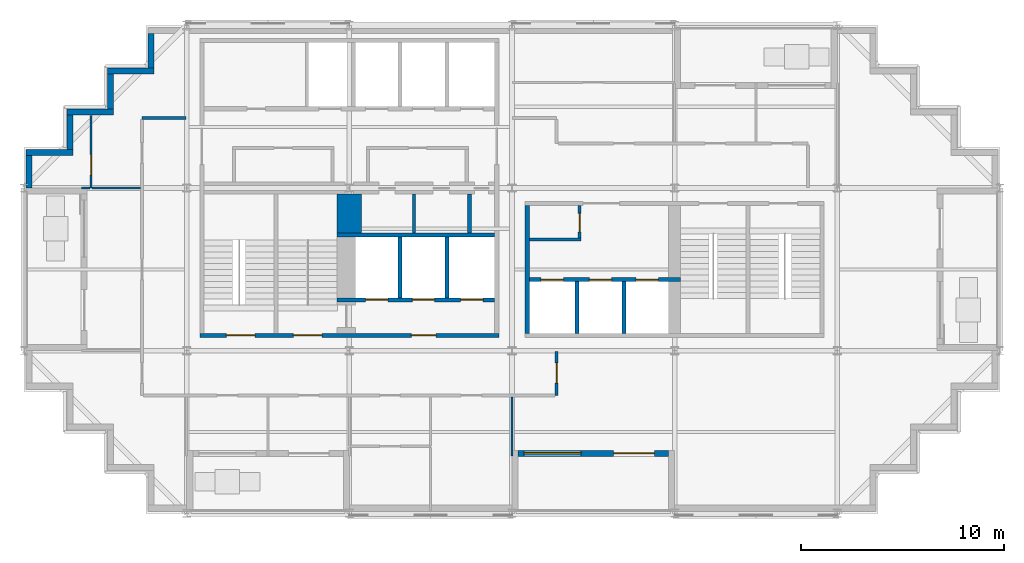
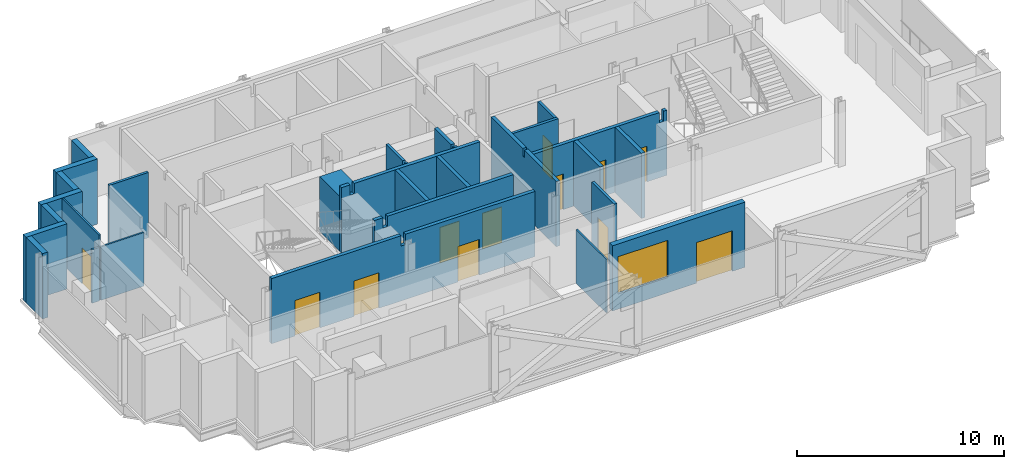
# One storey, part 3 of 8: 28 walls, 13 doors, 1 window, 14 openings.
"""IFC4 building model written with IfcOpenShell, lengths in metres."""

from ifc_helpers import new_model, si_unit, direction, frame, frame_2d, origin, place, context, subcontext, project, spatial, polyline, rectangle, outline, extrude, material, layer, layer_set, type_object, element, fill, save


model = new_model("IFC4")

# Units and contexts
model_context = context("Model", 3, precision=1e-05, world=origin(), true_north=direction((0.0, 1.0)))
body_context = subcontext(model_context, "Body", "Model", "MODEL_VIEW")
ifc_project = project(units=[si_unit("LENGTHUNIT", "METRE"), si_unit("AREAUNIT", "SQUARE_METRE"), si_unit("VOLUMEUNIT", "CUBIC_METRE"), si_unit("PLANEANGLEUNIT", "RADIAN"), si_unit("MASSUNIT", "GRAM", prefix="KILO")], contexts=[model_context])

# Site, building, storey
site_placement = place(None, origin())
site = spatial("IfcSite", under=ifc_project, at=site_placement, CompositionType="ELEMENT")
building_placement = place(site_placement, origin())
building = spatial("IfcBuilding", under=site, at=building_placement, Name="Immortelle Media Tower", CompositionType="ELEMENT")
storey_placement = place(building_placement, frame((0.0, 0.0, 209.0)))
storey = spatial("IfcBuildingStorey", under=building, at=storey_placement, Name="L44", CompositionType="ELEMENT", Elevation=209.0)

# Walls
ifc_material_1 = material(Name="Fire-rated gypsum board", Category="gypsum")
ifc_layer_1 = layer(ifc_material_1, 0.02490234375)
ifc_material_2 = material(Name="Steel ASTM A653 SS Gr 50 stud frame with mineral wool", Category="steel")
ifc_layer_2 = layer(ifc_material_2, 0.10009765625)
ifc_layer_3 = layer(ifc_material_1, 0.02490234375)
ifc_layer_set_1 = layer_set([ifc_layer_1, ifc_layer_2, ifc_layer_3], Name="Steel ASTM A653 SS Gr 50 stud frame with mineral wool")
wall_type_1 = type_object("IfcWallType", Name="Core partition 150", PredefinedType="PARTITIONING", material=ifc_layer_set_1)
wall_1_placement = place(storey_placement, frame((19.175048828125, 13.800048828125, 0.0), z_axis=(0.0, 0.0, 1.0), x_axis=(0.0, 1.0, 0.0)))
element("IfcWall", 1, at=wall_1_placement, inside=storey, type_object=wall_type_1, Name="Core partition SW", PredefinedType="PARTITIONING", context=body_context, shape_type="SweptSolid", body=[
    extrude(outline(polyline([(0.0, 0.0), (1.89990234375, 0.0), (1.89990234375, 3.85009765625), (0.281494140625, 3.85009765625), (0.280517578125, 3.388916015625), (0.119384765625, 3.388916015625), (0.118408203125, 3.85009765625), (0.0, 3.85009765625), (0.0, 0.0)])), frame((0.0, 0.074951171875, 0.0), z_axis=(0.0, -1.0, 0.0), x_axis=(1.0, 0.0, 0.0)), (0.0, 0.0, 1.0), 0.14990234375),
])
wall_2_placement = place(storey_placement, frame((24.85009765625, 13.47509765625, 0.0), z_axis=(0.0, 0.0, 1.0), x_axis=(1.0, 0.0, 0.0)))
element("IfcWall", 2, at=wall_2_placement, inside=storey, type_object=wall_type_1, Name="Core partition SE", PredefinedType="PARTITIONING", context=body_context, shape_type="SweptSolid", body=[
    extrude(rectangle(XDim=2.5498046875, YDim=0.14990234375, at=frame_2d((1.27490234375, 0.0))), origin(), (0.0, 0.0, 1.0), 3.85009765625),
])

# Wall, opening, door
wall_3_placement = place(storey_placement, frame((27.324951171875, 13.550048828125, 0.0), z_axis=(0.0, 0.0, 1.0), x_axis=(0.0, 1.0, 0.0)))
wall_3 = element("IfcWall", 3, at=wall_3_placement, inside=storey, type_object=wall_type_1, Name="Core partition SE", PredefinedType="PARTITIONING", context=body_context, shape_type="SweptSolid", body=[
    extrude(rectangle(XDim=1.599853515625, YDim=0.14990234375, at=frame_2d((0.7998046875, 0.0))), origin(), (0.0, 0.0, 1.0), 3.85009765625),
])
opening_1_placement = place(wall_3_placement, frame((0.300048828125, 0.0, 0.0)))
opening_1 = element("IfcOpeningElement", 4, at=opening_1_placement, cuts=wall_3, Name="Opening O3-K021", PredefinedType="OPENING", context=body_context, shape_type="SweptSolid", body=[
    extrude(rectangle(XDim=0.89990234375, YDim=2.10009765625, at=frame_2d((0.449951171875, 1.050048828125))), frame((0.0, 0.0849609375, 0.0), z_axis=(0.0, -1.0, 0.0), x_axis=(1.0, 0.0, 0.0)), (0.0, 0.0, 1.0), 0.169921875),
])
ifc_material_3 = material(Name="Galvanised steel door leaf and frame ASTM A653", Category="steel")
door_type_1 = type_object("IfcDoorType", Name="Service door 900 x 2100", OperationType="NOTDEFINED", PredefinedType="NOTDEFINED", material=ifc_material_3)
door_1_placement = place(opening_1_placement, origin())
door_1 = element("IfcDoor", 5, at=door_1_placement, inside=storey, type_object=door_type_1, Name="Service O3-K021", OperationType="SINGLE_SWING_LEFT", OverallHeight=2.10009765625, OverallWidth=0.89990234375, PredefinedType="NOTDEFINED", context=body_context, shape_type="SweptSolid", body=[
    extrude(rectangle(XDim=0.89990234375, YDim=2.10009765625, at=frame_2d((0.449951171875, 1.050048828125))), frame((0.0, 0.02490234375, 0.0), z_axis=(0.0, -1.0, 0.0), x_axis=(1.0, 0.0, 0.0)), (0.0, 0.0, 1.0), 0.050048828125),
])
fill(opening_1, door_1)

# Wall, openings, doors
ifc_layer_4 = layer(ifc_material_1, 0.03759765625)
ifc_layer_5 = layer(ifc_material_2, 0.125)
ifc_layer_6 = layer(ifc_material_1, 0.03759765625)
ifc_layer_set_2 = layer_set([ifc_layer_4, ifc_layer_5, ifc_layer_6], Name="Steel ASTM A653 SS Gr 50 stud frame with mineral wool")
wall_type_2 = type_object("IfcWallType", Name="Core shaft wall 200", PredefinedType="PARTITIONING", material=ifc_layer_set_2)
wall_4_placement = place(storey_placement, frame((15.39990234375, 10.5, 0.0), z_axis=(0.0, 0.0, 1.0), x_axis=(1.0, 0.0, 0.0)))
wall_4 = element("IfcWall", 6, at=wall_4_placement, inside=storey, type_object=wall_type_2, Name="Core shaft wall SW", PredefinedType="PARTITIONING", context=body_context, shape_type="SweptSolid", body=[
    extrude(outline(polyline([(0.0, 0.0), (7.75, 0.0), (7.75, 3.85009765625), (0.718994140625, 3.85009765625), (0.718017578125, 3.241943359375), (0.48193359375, 3.241943359375), (0.48095703125, 3.85009765625), (0.0, 3.85009765625), (0.0, 0.0)])), frame((0.0, 0.10009765625, 0.0), z_axis=(0.0, -1.0, 0.0), x_axis=(1.0, 0.0, 0.0)), (0.0, 0.0, 1.0), 0.199951171875),
])
opening_2_placement = place(wall_4_placement, frame((1.39990234375, 0.0, 0.0)))
opening_2 = element("IfcOpeningElement", 7, at=opening_2_placement, cuts=wall_4, Name="Opening LD", PredefinedType="OPENING", context=body_context, shape_type="SweptSolid", body=[
    extrude(rectangle(XDim=1.10009765625, YDim=2.10009765625, at=frame_2d((0.550048828125, 1.050048828125))), frame((0.0, 0.10986328125, 0.0), z_axis=(0.0, -1.0, 0.0), x_axis=(1.0, 0.0, 0.0)), (0.0, 0.0, 1.0), 0.219970703125),
])
opening_3_placement = place(wall_4_placement, frame((3.699951171875, 0.0, 0.0)))
opening_3 = element("IfcOpeningElement", 8, at=opening_3_placement, cuts=wall_4, Name="Opening LD", PredefinedType="OPENING", context=body_context, shape_type="SweptSolid", body=[
    extrude(rectangle(XDim=1.10009765625, YDim=2.10009765625, at=frame_2d((0.550048828125, 1.050048828125))), frame((0.0, 0.10986328125, 0.0), z_axis=(0.0, -1.0, 0.0), x_axis=(1.0, 0.0, 0.0)), (0.0, 0.0, 1.0), 0.219970703125),
])
opening_4_placement = place(wall_4_placement, frame((6.074951171875, 0.0, 0.0)))
opening_4 = element("IfcOpeningElement", 9, at=opening_4_placement, cuts=wall_4, Name="Opening LD", PredefinedType="OPENING", context=body_context, shape_type="SweptSolid", body=[
    extrude(rectangle(XDim=1.10009765625, YDim=2.10009765625, at=frame_2d((0.550048828125, 1.050048828125))), frame((0.0, 0.10986328125, 0.0), z_axis=(0.0, -1.0, 0.0), x_axis=(1.0, 0.0, 0.0)), (0.0, 0.0, 1.0), 0.219970703125),
])
ifc_material_4 = material(Name="Stainless steel AISI 304", Category="steel")
door_type_2 = type_object("IfcDoorType", Name="Landing door 1100 x 2100", OperationType="SLIDING_TO_LEFT", PredefinedType="NOTDEFINED", material=ifc_material_4)
door_2_placement = place(opening_2_placement, origin())
door_2 = element("IfcDoor", 10, at=door_2_placement, inside=storey, type_object=door_type_2, Name="Landing door FF1 L44", OperationType="SLIDING_TO_LEFT", OverallHeight=2.10009765625, OverallWidth=1.10009765625, PredefinedType="NOTDEFINED", context=body_context, shape_type="SweptSolid", body=[
    extrude(rectangle(XDim=1.10009765625, YDim=2.10009765625, at=frame_2d((0.550048828125, 1.050048828125))), frame((0.0, 0.02490234375, 0.0), z_axis=(0.0, -1.0, 0.0), x_axis=(1.0, 0.0, 0.0)), (0.0, 0.0, 1.0), 0.050048828125),
])
fill(opening_2, door_2)
door_3_placement = place(opening_3_placement, origin())
door_3 = element("IfcDoor", 11, at=door_3_placement, inside=storey, type_object=door_type_2, Name="Landing door FF2 L44", OperationType="SLIDING_TO_LEFT", OverallHeight=2.10009765625, OverallWidth=1.10009765625, PredefinedType="NOTDEFINED", context=body_context, shape_type="SweptSolid", body=[
    extrude(rectangle(XDim=1.10009765625, YDim=2.10009765625, at=frame_2d((0.550048828125, 1.050048828125))), frame((0.0, 0.02490234375, 0.0), z_axis=(0.0, -1.0, 0.0), x_axis=(1.0, 0.0, 0.0)), (0.0, 0.0, 1.0), 0.050048828125),
])
fill(opening_3, door_3)
door_4_placement = place(opening_4_placement, origin())
door_4 = element("IfcDoor", 12, at=door_4_placement, inside=storey, type_object=door_type_2, Name="Landing door FF3 L44", OperationType="SLIDING_TO_LEFT", OverallHeight=2.10009765625, OverallWidth=1.10009765625, PredefinedType="NOTDEFINED", context=body_context, shape_type="SweptSolid", body=[
    extrude(rectangle(XDim=1.10009765625, YDim=2.10009765625, at=frame_2d((0.550048828125, 1.050048828125))), frame((0.0, 0.02490234375, 0.0), z_axis=(0.0, -1.0, 0.0), x_axis=(1.0, 0.0, 0.0)), (0.0, 0.0, 1.0), 0.050048828125),
])
fill(opening_4, door_4)

# Walls
wall_5_placement = place(storey_placement, frame((15.39990234375, 13.699951171875, 0.0), z_axis=(0.0, 0.0, 1.0), x_axis=(1.0, 0.0, 0.0)))
element("IfcWall", 13, at=wall_5_placement, inside=storey, type_object=wall_type_2, Name="Core shaft wall SW", PredefinedType="PARTITIONING", context=body_context, shape_type="SweptSolid", body=[
    extrude(outline(polyline([(0.0, 0.0), (7.75, 0.0), (7.75, 3.85009765625), (0.718994140625, 3.85009765625), (0.718017578125, 3.241943359375), (0.48193359375, 3.241943359375), (0.48095703125, 3.85009765625), (0.0, 3.85009765625), (0.0, 0.0)])), frame((0.0, 0.10009765625, 0.0), z_axis=(0.0, -1.0, 0.0), x_axis=(1.0, 0.0, 0.0)), (0.0, 0.0, 1.0), 0.199951171875),
])
for number, where, z_axis, x_axis, name in (
    (14, (18.5, 10.60009765625, 0.0), (0.0, 0.0, 1.0), (0.0, 1.0, 0.0), "Core shaft wall SW"),
    (15, (20.800048828125, 10.60009765625, 0.0), (0.0, 0.0, 1.0), (0.0, 1.0, 0.0), "Core shaft wall SW"),
):
    element("IfcWall", number, at=place(storey_placement, frame(where, z_axis=z_axis, x_axis=x_axis)), inside=storey, type_object=wall_type_2, Name=name, PredefinedType="PARTITIONING", context=body_context, shape_type="SweptSolid", body=[
        extrude(rectangle(XDim=3.0, YDim=0.199951171875, at=frame_2d((1.5, 0.0))), origin(), (0.0, 0.0, 1.0), 3.85009765625),
    ])
wall_6_placement = place(storey_placement, frame((21.89990234375, 13.800048828125, 0.0), z_axis=(0.0, 0.0, 1.0), x_axis=(0.0, 1.0, 0.0)))
element("IfcWall", 16, at=wall_6_placement, inside=storey, type_object=wall_type_2, Name="Core shaft wall SW", PredefinedType="PARTITIONING", context=body_context, shape_type="SweptSolid", body=[
    extrude(outline(polyline([(0.0, 0.0), (1.89990234375, 0.0), (1.89990234375, 3.85009765625), (0.281494140625, 3.85009765625), (0.280517578125, 3.388916015625), (0.119384765625, 3.388916015625), (0.118408203125, 3.85009765625), (0.0, 3.85009765625), (0.0, 0.0)])), frame((0.0, 0.10009765625, 0.0), z_axis=(0.0, -1.0, 0.0), x_axis=(1.0, 0.0, 0.0)), (0.0, 0.0, 1.0), 0.199951171875),
])
wall_7_placement = place(storey_placement, frame((24.75, 8.85009765625, 0.0), z_axis=(0.0, 0.0, 1.0), x_axis=(0.0, 1.0, 0.0)))
element("IfcWall", 17, at=wall_7_placement, inside=storey, type_object=wall_type_2, Name="Core shaft wall SE", PredefinedType="PARTITIONING", context=body_context, shape_type="SweptSolid", body=[
    extrude(outline(polyline([(0.0, 0.0), (6.2998046875, 0.0), (6.300048828125, 3.85009765625), (3.2314453125, 3.85009765625), (3.23046875, 3.388916015625), (3.069580078125, 3.388916015625), (3.068603515625, 3.85009765625), (0.0, 3.85009765625), (0.0, 0.0)])), frame((0.0, 0.10009765625, 0.0), z_axis=(0.0, -1.0, 0.0), x_axis=(1.0, 0.0, 0.0)), (0.0, 0.0, 1.0), 0.199951171875),
])

# Wall, openings, doors
wall_8_placement = place(storey_placement, frame((24.85009765625, 11.5, 0.0), z_axis=(0.0, 0.0, 1.0), x_axis=(1.0, 0.0, 0.0)))
wall_8 = element("IfcWall", 18, at=wall_8_placement, inside=storey, type_object=wall_type_2, Name="Core shaft wall SE", PredefinedType="PARTITIONING", context=body_context, shape_type="SweptSolid", body=[
    extrude(outline(polyline([(0.0, 0.0), (7.449951171875, 0.0), (7.449951171875, 3.85009765625), (7.26904296875, 3.85009765625), (7.26806640625, 3.241943359375), (7.031982421875, 3.241943359375), (7.031005859375, 3.85009765625), (0.0, 3.85009765625), (0.0, 0.0)])), frame((0.0, 0.10009765625, 0.0), z_axis=(0.0, -1.0, 0.0), x_axis=(1.0, 0.0, 0.0)), (0.0, 0.0, 1.0), 0.199951171875),
])
opening_5_placement = place(wall_8_placement, frame((0.574951171875, 0.0, 0.0)))
opening_5 = element("IfcOpeningElement", 19, at=opening_5_placement, cuts=wall_8, Name="Opening LD", PredefinedType="OPENING", context=body_context, shape_type="SweptSolid", body=[
    extrude(rectangle(XDim=1.10009765625, YDim=2.10009765625, at=frame_2d((0.550048828125, 1.050048828125))), frame((0.0, 0.10986328125, 0.0), z_axis=(0.0, -1.0, 0.0), x_axis=(1.0, 0.0, 0.0)), (0.0, 0.0, 1.0), 0.219970703125),
])
opening_6_placement = place(wall_8_placement, frame((2.949951171875, 0.0, 0.0)))
opening_6 = element("IfcOpeningElement", 20, at=opening_6_placement, cuts=wall_8, Name="Opening LD", PredefinedType="OPENING", context=body_context, shape_type="SweptSolid", body=[
    extrude(rectangle(XDim=1.10009765625, YDim=2.10009765625, at=frame_2d((0.550048828125, 1.050048828125))), frame((0.0, 0.10986328125, 0.0), z_axis=(0.0, -1.0, 0.0), x_axis=(1.0, 0.0, 0.0)), (0.0, 0.0, 1.0), 0.219970703125),
])
opening_7_placement = place(wall_8_placement, frame((5.25, 0.0, 0.0)))
opening_7 = element("IfcOpeningElement", 21, at=opening_7_placement, cuts=wall_8, Name="Opening LD", PredefinedType="OPENING", context=body_context, shape_type="SweptSolid", body=[
    extrude(rectangle(XDim=1.10009765625, YDim=2.10009765625, at=frame_2d((0.550048828125, 1.050048828125))), frame((0.0, 0.10986328125, 0.0), z_axis=(0.0, -1.0, 0.0), x_axis=(1.0, 0.0, 0.0)), (0.0, 0.0, 1.0), 0.219970703125),
])
door_5_placement = place(opening_5_placement, origin())
door_5 = element("IfcDoor", 22, at=door_5_placement, inside=storey, type_object=door_type_2, Name="Landing door HS1 L44", OperationType="SLIDING_TO_LEFT", OverallHeight=2.10009765625, OverallWidth=1.10009765625, PredefinedType="NOTDEFINED", context=body_context, shape_type="SweptSolid", body=[
    extrude(rectangle(XDim=1.10009765625, YDim=2.10009765625, at=frame_2d((0.550048828125, 1.050048828125))), frame((0.0, 0.02490234375, 0.0), z_axis=(0.0, -1.0, 0.0), x_axis=(1.0, 0.0, 0.0)), (0.0, 0.0, 1.0), 0.050048828125),
])
fill(opening_5, door_5)
door_6_placement = place(opening_6_placement, origin())
door_6 = element("IfcDoor", 23, at=door_6_placement, inside=storey, type_object=door_type_2, Name="Landing door HS2 L44", OperationType="SLIDING_TO_LEFT", OverallHeight=2.10009765625, OverallWidth=1.10009765625, PredefinedType="NOTDEFINED", context=body_context, shape_type="SweptSolid", body=[
    extrude(rectangle(XDim=1.10009765625, YDim=2.10009765625, at=frame_2d((0.550048828125, 1.050048828125))), frame((0.0, 0.02490234375, 0.0), z_axis=(0.0, -1.0, 0.0), x_axis=(1.0, 0.0, 0.0)), (0.0, 0.0, 1.0), 0.050048828125),
])
fill(opening_6, door_6)
door_7_placement = place(opening_7_placement, origin())
door_7 = element("IfcDoor", 24, at=door_7_placement, inside=storey, type_object=door_type_2, Name="Landing door HS3 L44", OperationType="SLIDING_TO_LEFT", OverallHeight=2.10009765625, OverallWidth=1.10009765625, PredefinedType="NOTDEFINED", context=body_context, shape_type="SweptSolid", body=[
    extrude(rectangle(XDim=1.10009765625, YDim=2.10009765625, at=frame_2d((0.550048828125, 1.050048828125))), frame((0.0, 0.02490234375, 0.0), z_axis=(0.0, -1.0, 0.0), x_axis=(1.0, 0.0, 0.0)), (0.0, 0.0, 1.0), 0.050048828125),
])
fill(opening_7, door_7)

# Walls
for number, where, z_axis, x_axis, name in (
    (25, (27.199951171875, 8.85009765625, 0.0), (0.0, 0.0, 1.0), (0.0, 1.0, 0.0), "Core shaft wall SE"),
    (26, (29.5, 8.85009765625, 0.0), (0.0, 0.0, 1.0), (0.0, 1.0, 0.0), "Core shaft wall SE"),
):
    element("IfcWall", number, at=place(storey_placement, frame(where, z_axis=z_axis, x_axis=x_axis)), inside=storey, type_object=wall_type_2, Name=name, PredefinedType="PARTITIONING", context=body_context, shape_type="SweptSolid", body=[
        extrude(rectangle(XDim=2.5498046875, YDim=0.199951171875, at=frame_2d((1.27490234375, 0.0))), origin(), (0.0, 0.0, 1.0), 3.85009765625),
    ])

# Wall, opening, door
ifc_layer_7 = layer(ifc_material_1, 0.012451171875)
ifc_layer_8 = layer(ifc_material_2, 0.125)
ifc_layer_9 = layer(ifc_material_1, 0.012451171875)
ifc_layer_set_3 = layer_set([ifc_layer_7, ifc_layer_8, ifc_layer_9], Name="Steel ASTM A653 SS Gr 50 stud frame with mineral wool")
wall_type_3 = type_object("IfcWallType", Name="Corridor wall 150", PredefinedType="PARTITIONING", material=ifc_layer_set_3)
wall_9_placement = place(storey_placement, frame((26.199951171875, 5.800048828125, 0.0), z_axis=(0.0, 0.0, 1.0), x_axis=(0.0, 1.0, 0.0)))
wall_9 = element("IfcWall", 27, at=wall_9_placement, inside=storey, type_object=wall_type_3, Name="Partition L44-011", PredefinedType="PARTITIONING", context=body_context, shape_type="SweptSolid", body=[
    extrude(rectangle(XDim=2.169921875, YDim=0.14990234375, at=frame_2d((1.0849609375, 0.0))), origin(), (0.0, 0.0, 1.0), 3.85009765625),
])
opening_8_placement = place(wall_9_placement, frame((1.60009765625, 0.0, 0.0), z_axis=(0.0, 0.0, 1.0), x_axis=(-1.0, 0.0, 0.0)))
opening_8 = element("IfcOpeningElement", 28, at=opening_8_placement, cuts=wall_9, Name="Opening O3-F007", PredefinedType="OPENING", context=body_context, shape_type="SweptSolid", body=[
    extrude(rectangle(XDim=1.0, YDim=2.10009765625, at=frame_2d((0.5, 1.050048828125))), frame((0.0, 0.0849609375, 0.0), z_axis=(0.0, -1.0, 0.0), x_axis=(1.0, 0.0, 0.0)), (0.0, 0.0, 1.0), 0.169921875),
])
ifc_material_5 = material(Name="Timber veneered door leaf, galvanised steel frame ASTM A653", Category="steel")
door_type_3 = type_object("IfcDoorType", Name="Room door 1000 x 2100", OperationType="NOTDEFINED", PredefinedType="DOOR", material=ifc_material_5)
door_8_placement = place(opening_8_placement, origin())
door_8 = element("IfcDoor", 29, at=door_8_placement, inside=storey, type_object=door_type_3, Name="Door O3-F007", OperationType="SINGLE_SWING_LEFT", OverallHeight=2.10009765625, OverallWidth=1.0, PredefinedType="DOOR", context=body_context, shape_type="SweptSolid", body=[
    extrude(rectangle(XDim=1.0, YDim=2.10009765625, at=frame_2d((0.5, 1.050048828125))), frame((0.0, 0.02490234375, 0.0), z_axis=(0.0, -1.0, 0.0), x_axis=(1.0, 0.0, 0.0)), (0.0, 0.0, 1.0), 0.050048828125),
])
fill(opening_8, door_8)

# Wall
wall_10_placement = place(storey_placement, frame((5.800048828125, 19.449951171875, 0.0), z_axis=(0.0, 0.0, 1.0), x_axis=(1.0, 0.0, 0.0)))
element("IfcWall", 30, at=wall_10_placement, inside=storey, type_object=wall_type_3, Name="Partition L44-022", PredefinedType="PARTITIONING", context=body_context, shape_type="SweptSolid", body=[
    extrude(rectangle(XDim=2.169921875, YDim=0.14990234375, at=frame_2d((1.0849609375, 0.0))), origin(), (0.0, 0.0, 1.0), 3.85009765625),
])

# Wall, openings, door, window
ifc_material_6 = material(Name="Pale aluminium cladding panel", Category="aluminium")
ifc_layer_10 = layer(ifc_material_6, 0.030029296875)
ifc_layer_11 = layer(ifc_material_2, 0.257568359375)
ifc_material_7 = material(Name="Moisture-resistant gypsum board", Category="gypsum")
ifc_layer_12 = layer(ifc_material_7, 0.012451171875)
ifc_layer_set_4 = layer_set([ifc_layer_10, ifc_layer_11, ifc_layer_12], Name="Steel ASTM A653 SS Gr 50 stud frame with mineral wool")
wall_type_4 = type_object("IfcWallType", Name="Facade wall 300", PredefinedType="SOLIDWALL", material=ifc_layer_set_4)
wall_11_placement = place(storey_placement, frame((24.300048828125, 2.949951171875, 0.0), z_axis=(0.0, 0.0, 1.0), x_axis=(1.0, 0.0, 0.0)))
wall_11 = element("IfcWall", 31, at=wall_11_placement, inside=storey, type_object=wall_type_4, Name="Loggia wall L44 S6", PredefinedType="SOLIDWALL", context=body_context, shape_type="SweptSolid", body=[
    extrude(rectangle(XDim=7.39990234375, YDim=0.300048828125, at=frame_2d((3.699951171875, 0.0))), origin(), (0.0, 0.0, 1.0), 3.85009765625),
])
opening_9_placement = place(wall_11_placement, frame((0.300048828125, 0.0, 0.89990234375)))
opening_9 = element("IfcOpeningElement", 32, at=opening_9_placement, cuts=wall_11, Name="Opening W1", PredefinedType="OPENING", context=body_context, shape_type="SweptSolid", body=[
    extrude(rectangle(XDim=2.800048828125, YDim=2.199951171875, at=frame_2d((1.39990234375, 1.10009765625))), frame((0.0, 0.159912109375, 0.0), z_axis=(0.0, -1.0, 0.0), x_axis=(1.0, 0.0, 0.0)), (0.0, 0.0, 1.0), 0.320068359375),
])
opening_10_placement = place(wall_11_placement, frame((4.699951171875, 0.0, 0.0)))
opening_10 = element("IfcOpeningElement", 33, at=opening_10_placement, cuts=wall_11, Name="Opening O3-E002", PredefinedType="OPENING", context=body_context, shape_type="SweptSolid", body=[
    extrude(rectangle(XDim=2.0, YDim=2.39990234375, at=frame_2d((1.0, 1.199951171875))), frame((0.0, 0.159912109375, 0.0), z_axis=(0.0, -1.0, 0.0), x_axis=(1.0, 0.0, 0.0)), (0.0, 0.0, 1.0), 0.320068359375),
])
ifc_material_8 = material(Name="Aluminium frame, glazed leaves", Category="aluminium")
door_type_4 = type_object("IfcDoorType", Name="Loggia door 2000 x 2400", OperationType="DOUBLE_DOOR_SINGLE_SWING", PredefinedType="DOOR", material=ifc_material_8)
door_9_placement = place(opening_10_placement, origin())
door_9 = element("IfcDoor", 34, at=door_9_placement, inside=storey, type_object=door_type_4, Name="Door O3-E002", OperationType="DOUBLE_DOOR_SINGLE_SWING", OverallHeight=2.39990234375, OverallWidth=2.0, PredefinedType="DOOR", context=body_context, shape_type="SweptSolid", body=[
    extrude(rectangle(XDim=2.0, YDim=2.39990234375, at=frame_2d((1.0, 1.199951171875))), frame((0.0, 0.02490234375, 0.0), z_axis=(0.0, -1.0, 0.0), x_axis=(1.0, 0.0, 0.0)), (0.0, 0.0, 1.0), 0.050048828125),
])
fill(opening_10, door_9)
ifc_material_9 = material(Name="Aluminium frame", Category="aluminium")
window_type = type_object("IfcWindowType", Name="Window 2800 x 2200", PartitioningType="SINGLE_PANEL", PredefinedType="WINDOW", material=ifc_material_9)
window_placement = place(opening_9_placement, origin())
window = element("IfcWindow", 35, at=window_placement, inside=storey, type_object=window_type, Name="Window L44 L44-R6-B2", OverallHeight=2.199951171875, OverallWidth=2.800048828125, PartitioningType="SINGLE_PANEL", PredefinedType="WINDOW", context=body_context, shape_type="SweptSolid", body=[
    extrude(rectangle(XDim=2.800048828125, YDim=2.199951171875, at=frame_2d((1.39990234375, 1.10009765625))), frame((0.0, 0.030029296875, 0.0), z_axis=(0.0, -1.0, 0.0), x_axis=(1.0, 0.0, 0.0)), (0.0, 0.0, 1.0), 0.06005859375),
])
fill(opening_9, window)

# Walls
wall_12_placement = place(storey_placement, frame((6.25, 23.60009765625, 0.0), z_axis=(0.0, 0.0, 1.0), x_axis=(0.0, -1.0, 0.0)))
element("IfcWall", 36, at=wall_12_placement, inside=storey, type_object=wall_type_4, Name="Facade wall L44 W21", PredefinedType="SOLIDWALL", context=body_context, shape_type="SweptSolid", body=[
    extrude(rectangle(XDim=1.7001953125, YDim=0.300048828125, at=frame_2d((0.85009765625, 0.0))), origin(), (0.0, 0.0, 1.0), 3.85009765625),
])
wall_13_placement = place(storey_placement, frame((6.39990234375, 21.75, 0.0), z_axis=(0.0, 0.0, 1.0), x_axis=(-1.0, 0.0, 0.0)))
element("IfcWall", 37, at=wall_13_placement, inside=storey, type_object=wall_type_4, Name="Facade wall L44 N22", PredefinedType="SOLIDWALL", context=body_context, shape_type="SweptSolid", body=[
    extrude(rectangle(XDim=2.2998046875, YDim=0.300048828125, at=frame_2d((1.14990234375, 0.0))), origin(), (0.0, 0.0, 1.0), 3.85009765625),
])
wall_14_placement = place(storey_placement, frame((4.25, 21.60009765625, 0.0), z_axis=(0.0, 0.0, 1.0), x_axis=(0.0, -1.0, 0.0)))
element("IfcWall", 38, at=wall_14_placement, inside=storey, type_object=wall_type_4, Name="Facade wall L44 W23", PredefinedType="SOLIDWALL", context=body_context, shape_type="SweptSolid", body=[
    extrude(rectangle(XDim=1.7001953125, YDim=0.300048828125, at=frame_2d((0.85009765625, 0.0))), origin(), (0.0, 0.0, 1.0), 3.85009765625),
])
wall_15_placement = place(storey_placement, frame((4.39990234375, 19.75, 0.0), z_axis=(0.0, 0.0, 1.0), x_axis=(-1.0, 0.0, 0.0)))
element("IfcWall", 39, at=wall_15_placement, inside=storey, type_object=wall_type_4, Name="Facade wall L44 N24", PredefinedType="SOLIDWALL", context=body_context, shape_type="SweptSolid", body=[
    extrude(rectangle(XDim=2.2998046875, YDim=0.300048828125, at=frame_2d((1.14990234375, 0.0))), origin(), (0.0, 0.0, 1.0), 3.85009765625),
])
wall_16_placement = place(storey_placement, frame((2.25, 19.60009765625, 0.0), z_axis=(0.0, 0.0, 1.0), x_axis=(0.0, -1.0, 0.0)))
element("IfcWall", 40, at=wall_16_placement, inside=storey, type_object=wall_type_4, Name="Facade wall L44 W25", PredefinedType="SOLIDWALL", context=body_context, shape_type="SweptSolid", body=[
    extrude(rectangle(XDim=1.7001953125, YDim=0.300048828125, at=frame_2d((0.85009765625, 0.0))), origin(), (0.0, 0.0, 1.0), 3.85009765625),
])
wall_17_placement = place(storey_placement, frame((2.39990234375, 17.75, 0.0), z_axis=(0.0, 0.0, 1.0), x_axis=(-1.0, 0.0, 0.0)))
element("IfcWall", 41, at=wall_17_placement, inside=storey, type_object=wall_type_4, Name="Facade wall L44 N26", PredefinedType="SOLIDWALL", context=body_context, shape_type="SweptSolid", body=[
    extrude(rectangle(XDim=2.2998046875, YDim=0.300048828125, at=frame_2d((1.14990234375, 0.0))), origin(), (0.0, 0.0, 1.0), 3.85009765625),
])
wall_18_placement = place(storey_placement, frame((0.25, 17.60009765625, 0.0), z_axis=(0.0, 0.0, 1.0), x_axis=(0.0, -1.0, 0.0)))
element("IfcWall", 42, at=wall_18_placement, inside=storey, type_object=wall_type_4, Name="Facade wall L44 W27", PredefinedType="SOLIDWALL", context=body_context, shape_type="SweptSolid", body=[
    extrude(rectangle(XDim=1.60009765625, YDim=0.300048828125, at=frame_2d((0.800048828125, 0.0))), origin(), (0.0, 0.0, 1.0), 3.85009765625),
])
ifc_material_10 = material(Name="Gypsum board", Category="gypsum")
ifc_layer_13 = layer(ifc_material_10, 0.012451171875)
ifc_layer_14 = layer(ifc_material_2, 0.074951171875)
ifc_layer_15 = layer(ifc_material_10, 0.012451171875)
ifc_layer_set_5 = layer_set([ifc_layer_13, ifc_layer_14, ifc_layer_15], Name="Steel ASTM A653 SS Gr 50 stud frame with mineral wool")
wall_type_5 = type_object("IfcWallType", Name="Partition 100", PredefinedType="PARTITIONING", material=ifc_layer_set_5)
wall_19_placement = place(storey_placement, frame((24.0, 2.830078125, 0.0), z_axis=(0.0, 0.0, 1.0), x_axis=(0.0, 1.0, 0.0)))
element("IfcWall", 43, at=wall_19_placement, inside=storey, type_object=wall_type_5, Name="Partition L44-005", PredefinedType="PARTITIONING", context=body_context, shape_type="SweptSolid", body=[
    extrude(rectangle(XDim=2.89501953125, YDim=0.10009765625, at=frame_2d((1.447509765625, 0.0))), origin(), (0.0, 0.0, 1.0), 3.156982421875),
])
wall_20_placement = place(storey_placement, frame((2.830078125, 16.0, 0.0), z_axis=(0.0, 0.0, 1.0), x_axis=(1.0, 0.0, 0.0)))
element("IfcWall", 44, at=wall_20_placement, inside=storey, type_object=wall_type_5, Name="Partition L44-013", PredefinedType="PARTITIONING", context=body_context, shape_type="SweptSolid", body=[
    extrude(rectangle(XDim=0.419921875, YDim=0.10009765625, at=frame_2d((0.2099609375, 0.0))), origin(), (0.0, 0.0, 1.0), 3.156982421875),
])
wall_21_placement = place(storey_placement, frame((3.35009765625, 16.0, 0.0), z_axis=(0.0, 0.0, 1.0), x_axis=(1.0, 0.0, 0.0)))
element("IfcWall", 45, at=wall_21_placement, inside=storey, type_object=wall_type_5, Name="Partition L44-014", PredefinedType="PARTITIONING", context=body_context, shape_type="SweptSolid", body=[
    extrude(rectangle(XDim=2.375, YDim=0.10009765625, at=frame_2d((1.1875, 0.0))), origin(), (0.0, 0.0, 1.0), 3.156982421875),
])

# Wall, opening, door
wall_22_placement = place(storey_placement, frame((3.300048828125, 16.0, 0.0), z_axis=(0.0, 0.0, 1.0), x_axis=(0.0, 1.0, 0.0)))
wall_22 = element("IfcWall", 46, at=wall_22_placement, inside=storey, type_object=wall_type_5, Name="Partition L44-015", PredefinedType="PARTITIONING", context=body_context, shape_type="SweptSolid", body=[
    extrude(rectangle(XDim=3.570068359375, YDim=0.10009765625, at=frame_2d((1.78515625, 0.0))), origin(), (0.0, 0.0, 1.0), 3.85009765625),
])
opening_11_placement = place(wall_22_placement, frame((1.64990234375, 0.0, 0.0), z_axis=(0.0, 0.0, 1.0), x_axis=(-1.0, 0.0, 0.0)))
opening_11 = element("IfcOpeningElement", 47, at=opening_11_placement, cuts=wall_22, Name="Opening O3-F010", PredefinedType="OPENING", context=body_context, shape_type="SweptSolid", body=[
    extrude(rectangle(XDim=1.0, YDim=2.10009765625, at=frame_2d((0.5, 1.050048828125))), frame((0.0, 0.06005859375, 0.0), z_axis=(0.0, -1.0, 0.0), x_axis=(1.0, 0.0, 0.0)), (0.0, 0.0, 1.0), 0.1201171875),
])
door_10_placement = place(opening_11_placement, origin())
door_10 = element("IfcDoor", 48, at=door_10_placement, inside=storey, type_object=door_type_3, Name="Door O3-F010", OperationType="SINGLE_SWING_RIGHT", OverallHeight=2.10009765625, OverallWidth=1.0, PredefinedType="DOOR", context=body_context, shape_type="SweptSolid", body=[
    extrude(rectangle(XDim=1.0, YDim=2.10009765625, at=frame_2d((0.5, 1.050048828125))), frame((0.0, 0.02490234375, 0.0), z_axis=(0.0, -1.0, 0.0), x_axis=(1.0, 0.0, 0.0)), (0.0, 0.0, 1.0), 0.050048828125),
])
fill(opening_11, door_10)

# Wall
ifc_material_11 = material(Name="Concrete C60", Category="concrete")
ifc_layer_16 = layer(ifc_material_11, 1.199951171875)
ifc_layer_set_6 = layer_set([ifc_layer_16], Name="Concrete C60")
wall_type_6 = type_object("IfcWallType", Name="Stair shaft wall 1200", PredefinedType="PARTITIONING", material=ifc_layer_set_6)
wall_23_placement = place(storey_placement, frame((16.0, 13.800048828125, 0.0), z_axis=(0.0, 0.0, 1.0), x_axis=(0.0, 1.0, 0.0)))
element("IfcWall", 49, at=wall_23_placement, inside=storey, type_object=wall_type_6, Name="Stair shaft wall SW", PredefinedType="PARTITIONING", context=body_context, shape_type="SweptSolid", body=[
    extrude(rectangle(XDim=1.89990234375, YDim=1.199951171875, at=frame_2d((0.949951171875, 0.0))), origin(), (0.0, 0.0, 1.0), 3.241943359375),
])

# Wall, openings, doors
ifc_layer_17 = layer(ifc_material_11, 0.199951171875)
ifc_layer_set_7 = layer_set([ifc_layer_17], Name="Concrete C60")
wall_type_7 = type_object("IfcWallType", Name="Stair shaft wall 200", PredefinedType="PARTITIONING", material=ifc_layer_set_7)
wall_24_placement = place(storey_placement, frame((8.64990234375, 8.75, 0.0), z_axis=(0.0, 0.0, 1.0), x_axis=(1.0, 0.0, 0.0)))
wall_24 = element("IfcWall", 50, at=wall_24_placement, inside=storey, type_object=wall_type_7, Name="Stair shaft wall SW", PredefinedType="PARTITIONING", context=body_context, shape_type="SweptSolid", body=[
    extrude(outline(polyline([(0.0, 0.0), (14.7001953125, 0.0), (14.699951171875, 3.85009765625), (7.468994140625, 3.85009765625), (7.468017578125, 3.241943359375), (7.23193359375, 3.241943359375), (7.23095703125, 3.85009765625), (0.0, 3.85009765625), (0.0, 0.0)])), frame((0.0, 0.10009765625, 0.0), z_axis=(0.0, -1.0, 0.0), x_axis=(1.0, 0.0, 0.0)), (0.0, 0.0, 1.0), 0.199951171875),
])
opening_12_placement = place(wall_24_placement, frame((1.300048828125, 0.0, 0.0)))
opening_12 = element("IfcOpeningElement", 51, at=opening_12_placement, cuts=wall_24, Name="Opening O3-K002", PredefinedType="OPENING", context=body_context, shape_type="SweptSolid", body=[
    extrude(rectangle(XDim=1.39990234375, YDim=2.10009765625, at=frame_2d((0.699951171875, 1.050048828125))), frame((0.0, 0.10986328125, 0.0), z_axis=(0.0, -1.0, 0.0), x_axis=(1.0, 0.0, 0.0)), (0.0, 0.0, 1.0), 0.219970703125),
])
opening_13_placement = place(wall_24_placement, frame((4.60009765625, 0.0, 0.0)))
opening_13 = element("IfcOpeningElement", 52, at=opening_13_placement, cuts=wall_24, Name="Opening O3-K005", PredefinedType="OPENING", context=body_context, shape_type="SweptSolid", body=[
    extrude(rectangle(XDim=1.39990234375, YDim=2.10009765625, at=frame_2d((0.699951171875, 1.050048828125))), frame((0.0, 0.10986328125, 0.0), z_axis=(0.0, -1.0, 0.0), x_axis=(1.0, 0.0, 0.0)), (0.0, 0.0, 1.0), 0.219970703125),
])
opening_14_placement = place(wall_24_placement, frame((10.39990234375, 0.0, 0.0)))
opening_14 = element("IfcOpeningElement", 53, at=opening_14_placement, cuts=wall_24, Name="Opening O3-K012", PredefinedType="OPENING", context=body_context, shape_type="SweptSolid", body=[
    extrude(rectangle(XDim=1.199951171875, YDim=2.10009765625, at=frame_2d((0.60009765625, 1.050048828125))), frame((0.0, 0.10986328125, 0.0), z_axis=(0.0, -1.0, 0.0), x_axis=(1.0, 0.0, 0.0)), (0.0, 0.0, 1.0), 0.219970703125),
])
door_type_5 = type_object("IfcDoorType", Name="Fire-fighting lobby door 1200 x 2100", OperationType="NOTDEFINED", PredefinedType="NOTDEFINED", material=ifc_material_3)
door_11_placement = place(opening_14_placement, origin())
door_11 = element("IfcDoor", 54, at=door_11_placement, inside=storey, type_object=door_type_5, Name="Fire-fighting lobby O3-K012", OperationType="SINGLE_SWING_RIGHT", OverallHeight=2.10009765625, OverallWidth=1.199951171875, PredefinedType="NOTDEFINED", context=body_context, shape_type="SweptSolid", body=[
    extrude(rectangle(XDim=1.199951171875, YDim=2.10009765625, at=frame_2d((0.60009765625, 1.050048828125))), frame((0.0, 0.02490234375, 0.0), z_axis=(0.0, -1.0, 0.0), x_axis=(1.0, 0.0, 0.0)), (0.0, 0.0, 1.0), 0.050048828125),
])
fill(opening_14, door_11)
door_type_6 = type_object("IfcDoorType", Name="Stair door 1400 x 2100", OperationType="DOUBLE_DOOR_SINGLE_SWING", PredefinedType="NOTDEFINED", material=ifc_material_3)
door_12_placement = place(opening_12_placement, origin())
door_12 = element("IfcDoor", 55, at=door_12_placement, inside=storey, type_object=door_type_6, Name="Stair O3-K002", OperationType="DOUBLE_DOOR_SINGLE_SWING", OverallHeight=2.10009765625, OverallWidth=1.39990234375, PredefinedType="NOTDEFINED", context=body_context, shape_type="SweptSolid", body=[
    extrude(rectangle(XDim=1.39990234375, YDim=2.10009765625, at=frame_2d((0.699951171875, 1.050048828125))), frame((0.0, 0.02490234375, 0.0), z_axis=(0.0, -1.0, 0.0), x_axis=(1.0, 0.0, 0.0)), (0.0, 0.0, 1.0), 0.050048828125),
])
fill(opening_12, door_12)
door_13_placement = place(opening_13_placement, origin())
door_13 = element("IfcDoor", 56, at=door_13_placement, inside=storey, type_object=door_type_6, Name="Stair O3-K005", OperationType="DOUBLE_DOOR_SINGLE_SWING", OverallHeight=2.10009765625, OverallWidth=1.39990234375, PredefinedType="NOTDEFINED", context=body_context, shape_type="SweptSolid", body=[
    extrude(rectangle(XDim=1.39990234375, YDim=2.10009765625, at=frame_2d((0.699951171875, 1.050048828125))), frame((0.0, 0.02490234375, 0.0), z_axis=(0.0, -1.0, 0.0), x_axis=(1.0, 0.0, 0.0)), (0.0, 0.0, 1.0), 0.050048828125),
])
fill(opening_13, door_13)

save(model, "model.ifc")
